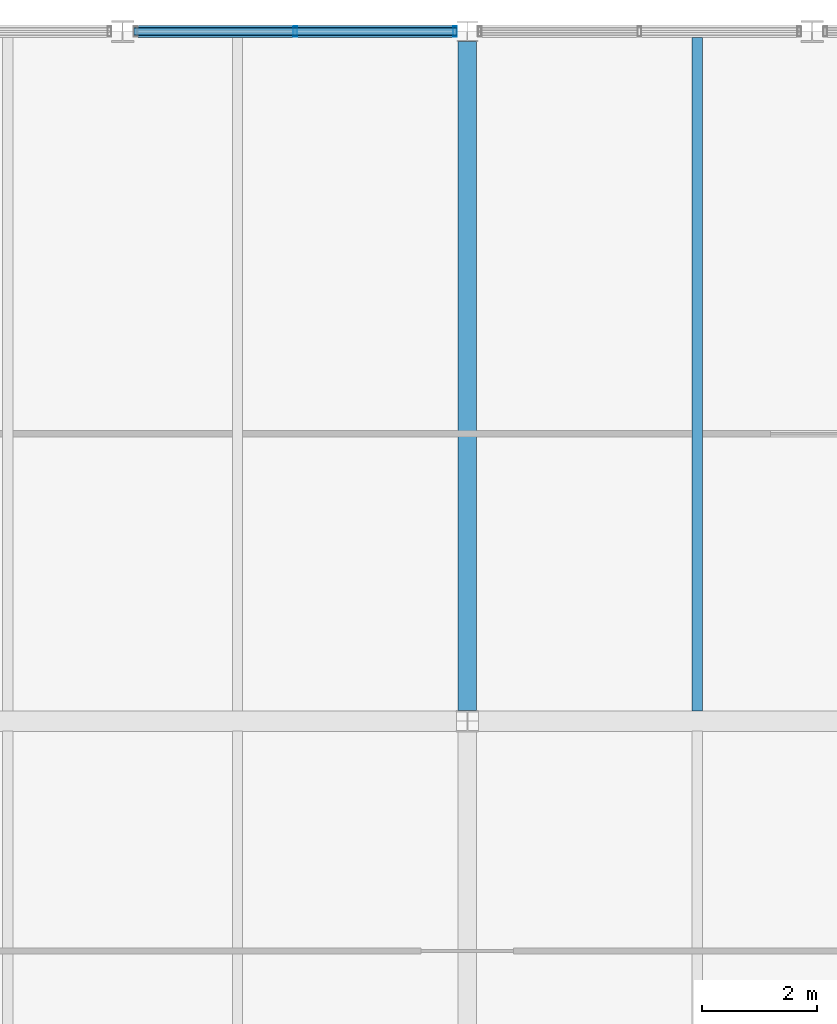
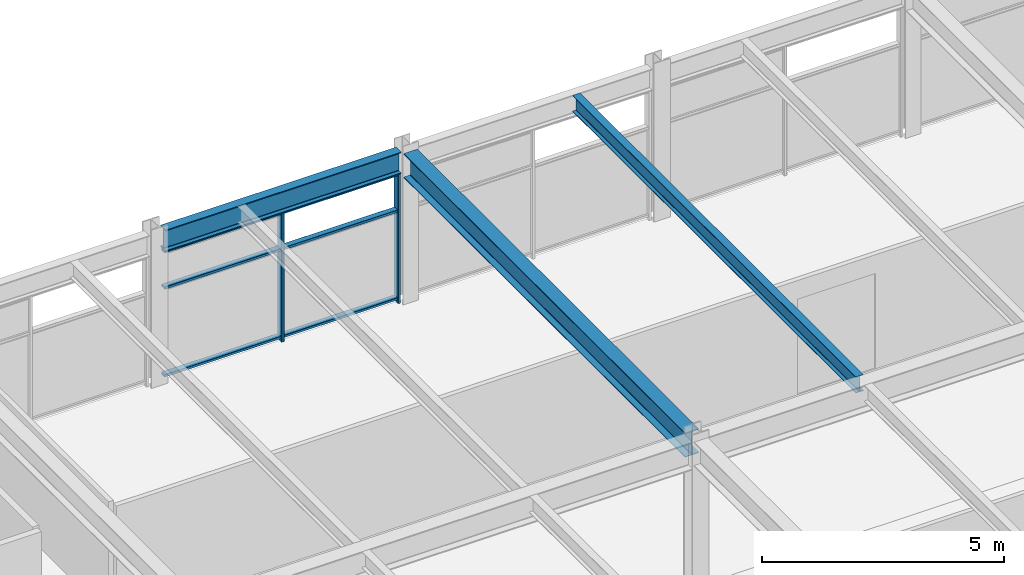
# One storey, part 21 of 40: 5 members, 3 beams, 1 element without a shape of its own.
"""IFC4 building model written with IfcOpenShell, lengths in metres."""

from ifc_helpers import new_model, si_unit, direction, frame, origin, origin_2d, place, context, subcontext, project, spatial, hollow_rectangle, i_section, extrude, material, material_profile, profile_set, type_object, element, aggregate, save


model = new_model("IFC4")

# Units and contexts
model_context = context("Model", 3, precision=1e-05, world=origin(), true_north=direction((0.0, 1.0)))
body_context = subcontext(model_context, "Body", "Model", "MODEL_VIEW")
ifc_project = project(units=[si_unit("LENGTHUNIT", "METRE"), si_unit("AREAUNIT", "SQUARE_METRE"), si_unit("VOLUMEUNIT", "CUBIC_METRE"), si_unit("PLANEANGLEUNIT", "RADIAN"), si_unit("MASSUNIT", "GRAM", prefix="KILO")], contexts=[model_context])

# Site, building, storey
site_placement = place(None, origin())
site = spatial("IfcSite", under=ifc_project, at=site_placement, CompositionType="ELEMENT")
building_placement = place(site_placement, origin())
building = spatial("IfcBuilding", under=site, at=building_placement, Name="Girod Span Mobility Hub", CompositionType="ELEMENT")
storey_placement = place(building_placement, frame((0.0, 0.0, 53.60009765625)))
storey = spatial("IfcBuildingStorey", under=building, at=storey_placement, Name="L13", CompositionType="ELEMENT", Elevation=53.60009765625)

# Beams
ifc_material_1 = material(Name="Steel A992 Grade 50", Category="steel")
ifc_material_profile_1 = material_profile(ifc_material_1, i_section(OverallWidth=0.178955078125, OverallDepth=0.409912109375, WebThickness=0.0087890625, FlangeThickness=0.014404296875, FilletRadius=0.012939453125, at=origin_2d()), Name="W16X45")
ifc_profile_set_1 = profile_set([ifc_material_profile_1], Name="Steel A992 Grade 50")
beam_type_1 = type_object("IfcBeamType", Name="BM-STL-W16X45", PredefinedType="BEAM", material=ifc_profile_set_1)
beam_1_placement = place(storey_placement, frame((88.0, 57.174560546875, 3.60986328125), z_axis=(0.0, 1.0, 0.0), x_axis=(-1.0, 0.0, 0.0)))
element("IfcBeam", 1, at=beam_1_placement, inside=storey, type_object=beam_type_1, Name="Composite Floorbeam 8/E-1 L13", PredefinedType="BEAM", context=body_context, shape_type="SweptSolid", body=[
    extrude(i_section(OverallWidth=0.178955078125, OverallDepth=0.409912109375, WebThickness=0.0087890625, FlangeThickness=0.014404296875, FilletRadius=0.012939453125, at=origin_2d()), origin(), (0.0, 0.0, 1.0), 11.722412109375),
])
ifc_material_2 = material(Name="Steel A992 Grade 50", Category="steel")
ifc_material_profile_2 = material_profile(ifc_material_2, i_section(OverallWidth=0.2119140625, OverallDepth=0.5439453125, WebThickness=0.01318359375, FlangeThickness=0.021240234375, FilletRadius=0.014892578125, at=origin_2d()), Name="W21X83")
ifc_profile_set_2 = profile_set([ifc_material_profile_2], Name="Steel A992 Grade 50")
beam_type_2 = type_object("IfcBeamType", Name="BM-STL-W21X83", PredefinedType="SPANDREL", material=ifc_profile_set_2)
beam_2_placement = place(storey_placement, frame((78.194091796875, 69.0, 3.54296875), z_axis=(1.0, 0.0, 0.0), x_axis=(0.0, 1.0, 0.0)))
element("IfcBeam", 2, at=beam_2_placement, inside=storey, type_object=beam_type_2, Name="Spandrel Beam 7-8/F-E L13", PredefinedType="SPANDREL", context=body_context, shape_type="SweptSolid", body=[
    extrude(i_section(OverallWidth=0.2119140625, OverallDepth=0.5439453125, WebThickness=0.01318359375, FlangeThickness=0.021240234375, FilletRadius=0.014892578125, at=origin_2d()), origin(), (0.0, 0.0, 1.0), 5.62451171875),
])
ifc_material_3 = material(Name="Steel A992 Grade 50", Category="steel")
ifc_material_profile_3 = material_profile(ifc_material_3, i_section(OverallWidth=0.323974609375, OverallDepth=0.611083984375, WebThickness=0.0126953125, FlangeThickness=0.01904296875, FilletRadius=0.014892578125, at=origin_2d()), Name="W24X104")
ifc_profile_set_3 = profile_set([ifc_material_profile_3], Name="Steel A992 Grade 50")
beam_type_3 = type_object("IfcBeamType", Name="BM-STL-W24X104", PredefinedType="BEAM", material=ifc_profile_set_3)
beam_3_placement = place(storey_placement, frame((84.0, 57.1845703125, 3.509521484375), z_axis=(0.0, 1.0, 0.0), x_axis=(-1.0, 0.0, 0.0)))
element("IfcBeam", 3, at=beam_3_placement, inside=storey, type_object=beam_type_3, Name="Tie Girder 8/E-F L13", PredefinedType="BEAM", context=body_context, shape_type="SweptSolid", body=[
    extrude(i_section(OverallWidth=0.323974609375, OverallDepth=0.611083984375, WebThickness=0.0126953125, FlangeThickness=0.01904296875, FilletRadius=0.014892578125, at=origin_2d()), origin(), (0.0, 0.0, 1.0), 11.640380859375),
])

# Curtain wall, members
ifc_material_4 = material(Name="Thermally Broken Anodised Aluminium", Category="aluminium")
curtain_wall_type = type_object("IfcCurtainWallType", Name="CW-562X327", PredefinedType="USERDEFINED", material=ifc_material_4)
curtain_wall_placement = place(storey_placement, origin())
curtain_wall = element("IfcCurtainWall", 4, at=curtain_wall_placement, inside=storey, type_object=curtain_wall_type, Name="Unitised Curtain Wall CW-L13-N07E L13", ObjectType="UNITISED CURTAIN WALL", PredefinedType="USERDEFINED")
ifc_material_5 = material(Name="Thermally Broken Anodised Aluminium", Category="aluminium")
ifc_material_profile_4 = material_profile(ifc_material_5, hollow_rectangle(XDim=0.179931640625, YDim=0.06494140625, WallThickness=0.00390625, InnerFilletRadius=0.00390625, OuterFilletRadius=0.008056640625, at=origin_2d()), Name="CW-ML-65X180")
ifc_profile_set_4 = profile_set([ifc_material_profile_4], Name="Thermally Broken Anodised Aluminium")
member_type_1 = type_object("IfcMemberType", Name="CWM-ML-2", PredefinedType="MULLION", material=ifc_profile_set_4)
member_1_placement = place(storey_placement, frame((81.006103515625, 69.0, 0.0), z_axis=(0.0, 0.0, 1.0), x_axis=(0.0, 1.0, 0.0)))
member_1 = element("IfcMember", 5, at=member_1_placement, type_object=member_type_1, Name="Curtain Wall Mullion CW-L13-N07E-M1", PredefinedType="MULLION", context=body_context, shape_type="SweptSolid", body=[
    extrude(hollow_rectangle(XDim=0.179931640625, YDim=0.06494140625, WallThickness=0.00390625, InnerFilletRadius=0.00390625, OuterFilletRadius=0.008056640625, at=origin_2d()), origin(), (0.0, 0.0, 1.0), 3.27099609375),
])
member_2_placement = place(storey_placement, frame((83.785400390625, 69.0, 0.0), z_axis=(0.0, 0.0, 1.0), x_axis=(0.0, 1.0, 0.0)))
member_2 = element("IfcMember", 6, at=member_2_placement, type_object=member_type_1, Name="Curtain Wall Mullion CW-L13-N07E-M2", PredefinedType="MULLION", context=body_context, shape_type="SweptSolid", body=[
    extrude(hollow_rectangle(XDim=0.179931640625, YDim=0.06494140625, WallThickness=0.00390625, InnerFilletRadius=0.00390625, OuterFilletRadius=0.008056640625, at=origin_2d()), origin(), (0.0, 0.0, 1.0), 3.27099609375),
])
ifc_material_6 = material(Name="Thermally Broken Anodised Aluminium", Category="aluminium")
ifc_material_profile_5 = material_profile(ifc_material_6, hollow_rectangle(XDim=0.135009765625, YDim=0.06494140625, WallThickness=0.00390625, InnerFilletRadius=0.00390625, OuterFilletRadius=0.008056640625, at=origin_2d()), Name="CW-TR-65X135")
ifc_profile_set_5 = profile_set([ifc_material_profile_5], Name="Thermally Broken Anodised Aluminium")
member_type_2 = type_object("IfcMemberType", Name="CWM-TR-2", PredefinedType="USERDEFINED", material=ifc_profile_set_5)
member_3_placement = place(storey_placement, frame((78.195068359375, 69.0, 0.107421875), z_axis=(1.0, 0.0, 0.0), x_axis=(0.0, 1.0, 0.0)))
member_3 = element("IfcMember", 7, at=member_3_placement, type_object=member_type_2, Name="Curtain Wall Transom CW-L13-N07E-T1", ObjectType="TRANSOM", PredefinedType="USERDEFINED", context=body_context, shape_type="SweptSolid", body=[
    extrude(hollow_rectangle(XDim=0.135009765625, YDim=0.06494140625, WallThickness=0.00390625, InnerFilletRadius=0.00390625, OuterFilletRadius=0.008056640625, at=origin_2d()), origin(), (0.0, 0.0, 1.0), 5.622314453125),
])
member_4_placement = place(storey_placement, frame((78.195068359375, 69.0, 2.322509765625), z_axis=(1.0, 0.0, 0.0), x_axis=(0.0, 1.0, 0.0)))
member_4 = element("IfcMember", 8, at=member_4_placement, type_object=member_type_2, Name="Curtain Wall Transom CW-L13-N07E-T2", ObjectType="TRANSOM", PredefinedType="USERDEFINED", context=body_context, shape_type="SweptSolid", body=[
    extrude(hollow_rectangle(XDim=0.135009765625, YDim=0.06494140625, WallThickness=0.00390625, InnerFilletRadius=0.00390625, OuterFilletRadius=0.008056640625, at=origin_2d()), origin(), (0.0, 0.0, 1.0), 5.622314453125),
])
member_5_placement = place(storey_placement, frame((78.195068359375, 69.0, 3.23828125), z_axis=(1.0, 0.0, 0.0), x_axis=(0.0, 1.0, 0.0)))
member_5 = element("IfcMember", 9, at=member_5_placement, type_object=member_type_2, Name="Curtain Wall Transom CW-L13-N07E-T3", ObjectType="TRANSOM", PredefinedType="USERDEFINED", context=body_context, shape_type="SweptSolid", body=[
    extrude(hollow_rectangle(XDim=0.135009765625, YDim=0.06494140625, WallThickness=0.00390625, InnerFilletRadius=0.00390625, OuterFilletRadius=0.008056640625, at=origin_2d()), origin(), (0.0, 0.0, 1.0), 5.622314453125),
])
aggregate(curtain_wall, [member_1, member_2, member_3, member_4, member_5])

save(model, "model.ifc")
